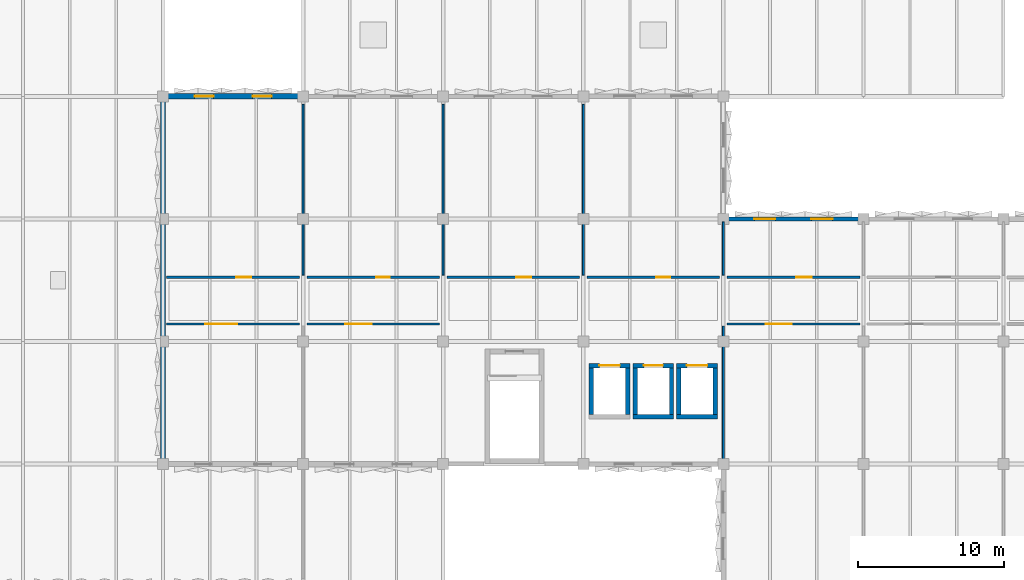
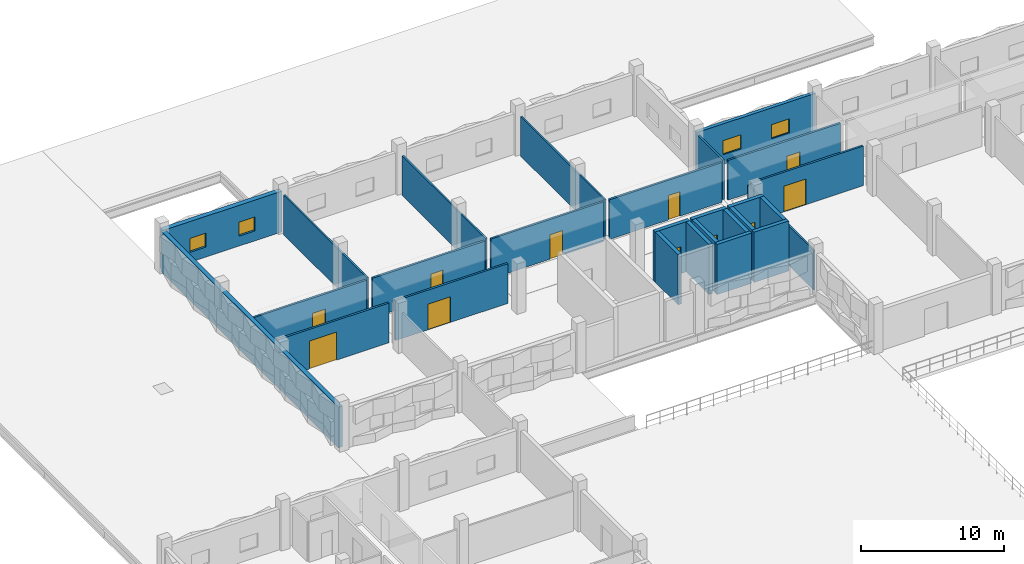
# One storey, part 57 of 86: 27 walls, 11 doors, 4 windows, 15 openings.
"""IFC4 building model written with IfcOpenShell, lengths in metres."""

from ifc_helpers import new_model, si_unit, direction, frame, frame_2d, origin, place, context, subcontext, project, spatial, rectangle, extrude, material, layer, layer_set, type_object, element, fill, save


model = new_model("IFC4")

# Units and contexts
model_context = context("Model", 3, precision=1e-05, world=origin(), true_north=direction((0.0, 1.0)))
body_context = subcontext(model_context, "Body", "Model", "MODEL_VIEW")
ifc_project = project(units=[si_unit("LENGTHUNIT", "METRE"), si_unit("AREAUNIT", "SQUARE_METRE"), si_unit("VOLUMEUNIT", "CUBIC_METRE"), si_unit("PLANEANGLEUNIT", "RADIAN"), si_unit("MASSUNIT", "GRAM", prefix="KILO")], contexts=[model_context])

# Site, building, storey
site_placement = place(None, origin())
site = spatial("IfcSite", under=ifc_project, at=site_placement, CompositionType="ELEMENT")
building_placement = place(site_placement, origin())
building = spatial("IfcBuilding", under=site, at=building_placement, Name="Oolite Switchyard Hospital", CompositionType="ELEMENT")
storey_placement = place(building_placement, frame((0.0, 0.0, 13.5)))
storey = spatial("IfcBuildingStorey", under=building, at=storey_placement, Name="L03", CompositionType="ELEMENT", Elevation=13.5)

# Wall, openings, windows
ifc_material_1 = material(Name="Precast oolitic limestone architectural concrete C40/50", Category="masonry")
ifc_layer_1 = layer(ifc_material_1, 0.280029296875)
ifc_layer_set_1 = layer_set([ifc_layer_1], Name="WAL-EXT-280")
wall_type_1 = type_object("IfcWallType", Name="WAL-EXT-280", PredefinedType="SOLIDWALL", material=ifc_layer_set_1)
wall_1_placement = place(storey_placement, frame((57.60009765625, 109.199951171875, 0.0), z_axis=(0.0, 0.0, 1.0), x_axis=(1.0, 0.0, 0.0)))
wall_1 = element("IfcWall", 1, at=wall_1_placement, inside=storey, type_object=wall_type_1, Name="L03 Exterior Spandrel Wall 201", PredefinedType="SOLIDWALL", context=body_context, shape_type="SweptSolid", body=[
    extrude(rectangle(XDim=9.599853515625, YDim=0.280029296875, at=frame_2d((4.7998046875, 0.0))), origin(), (0.0, 0.0, 1.0), 3.489990234375),
])
opening_1_placement = place(wall_1_placement, frame((2.118896484375, 0.0, 0.85009765625)))
opening_1 = element("IfcOpeningElement", 2, at=opening_1_placement, cuts=wall_1, Name="Opening WN-0103", PredefinedType="OPENING", context=body_context, shape_type="SweptSolid", body=[
    extrude(rectangle(XDim=1.449951171875, YDim=1.199951171875, at=frame_2d((0.72509765625, 0.60009765625))), frame((0.0, 0.14990234375, 0.0), z_axis=(0.0, -1.0, 0.0), x_axis=(1.0, 0.0, 0.0)), (0.0, 0.0, 1.0), 0.300048828125),
])
opening_2_placement = place(wall_1_placement, frame((6.031005859375, 0.0, 0.85009765625)))
opening_2 = element("IfcOpeningElement", 3, at=opening_2_placement, cuts=wall_1, Name="Opening WN-0104", PredefinedType="OPENING", context=body_context, shape_type="SweptSolid", body=[
    extrude(rectangle(XDim=1.449951171875, YDim=1.199951171875, at=frame_2d((0.72509765625, 0.60009765625))), frame((0.0, 0.14990234375, 0.0), z_axis=(0.0, -1.0, 0.0), x_axis=(1.0, 0.0, 0.0)), (0.0, 0.0, 1.0), 0.300048828125),
])
ifc_material_2 = material(Name="Thermally broken aluminum frame with laminated impact glazing", Category="aluminium")
window_type_1 = type_object("IfcWindowType", Name="WIN-IMP-145X120", PartitioningType="SINGLE_PANEL", PredefinedType="WINDOW", material=ifc_material_2)
window_1_placement = place(opening_1_placement, origin())
window_1 = element("IfcWindow", 4, at=window_1_placement, inside=storey, type_object=window_type_1, Name="L03 Hurricane Impact Window WN-0103", OverallHeight=1.199951171875, OverallWidth=1.449951171875, PartitioningType="SINGLE_PANEL", PredefinedType="WINDOW", context=body_context, shape_type="SweptSolid", body=[
    extrude(rectangle(XDim=1.449951171875, YDim=1.199951171875, at=frame_2d((0.72509765625, 0.60009765625))), frame((0.0, 0.030029296875, 0.0), z_axis=(0.0, -1.0, 0.0), x_axis=(1.0, 0.0, 0.0)), (0.0, 0.0, 1.0), 0.06005859375),
])
fill(opening_1, window_1)
window_2_placement = place(opening_2_placement, origin())
window_2 = element("IfcWindow", 5, at=window_2_placement, inside=storey, type_object=window_type_1, Name="L03 Hurricane Impact Window WN-0104", OverallHeight=1.199951171875, OverallWidth=1.449951171875, PartitioningType="SINGLE_PANEL", PredefinedType="WINDOW", context=body_context, shape_type="SweptSolid", body=[
    extrude(rectangle(XDim=1.449951171875, YDim=1.199951171875, at=frame_2d((0.72509765625, 0.60009765625))), frame((0.0, 0.030029296875, 0.0), z_axis=(0.0, -1.0, 0.0), x_axis=(1.0, 0.0, 0.0)), (0.0, 0.0, 1.0), 0.06005859375),
])
fill(opening_2, window_2)

# Wall
ifc_layer_2 = layer(ifc_material_1, 0.340087890625)
ifc_layer_set_2 = layer_set([ifc_layer_2], Name="WAL-EXT-340")
wall_type_2 = type_object("IfcWallType", Name="WAL-EXT-340", PredefinedType="SOLIDWALL", material=ifc_layer_set_2)
wall_2_placement = place(storey_placement, frame((19.199951171875, 92.56005859375, 0.0), z_axis=(0.0, 0.0, 1.0), x_axis=(0.0, 1.0, 0.0)))
element("IfcWall", 6, at=wall_2_placement, inside=storey, type_object=wall_type_2, Name="L03 Exterior Spandrel Wall 225", PredefinedType="SOLIDWALL", context=body_context, shape_type="SweptSolid", body=[
    extrude(rectangle(XDim=24.8798828125, YDim=0.340087890625, at=frame_2d((12.43994140625, 0.0))), origin(), (0.0, 0.0, 1.0), 3.489990234375),
])

# Wall, openings, windows
ifc_layer_3 = layer(ifc_material_1, 0.3798828125)
ifc_layer_set_3 = layer_set([ifc_layer_3], Name="WAL-EXT-380")
wall_type_3 = type_object("IfcWallType", Name="WAL-EXT-380", PredefinedType="SOLIDWALL", material=ifc_layer_set_3)
wall_3_placement = place(storey_placement, frame((19.199951171875, 117.60009765625, 0.0), z_axis=(0.0, 0.0, 1.0), x_axis=(1.0, 0.0, 0.0)))
wall_3 = element("IfcWall", 7, at=wall_3_placement, inside=storey, type_object=wall_type_3, Name="L03 Exterior Spandrel Wall 206", PredefinedType="SOLIDWALL", context=body_context, shape_type="SweptSolid", body=[
    extrude(rectangle(XDim=9.60009765625, YDim=0.3798828125, at=frame_2d((4.800048828125, 0.0))), origin(), (0.0, 0.0, 1.0), 3.489990234375),
])
opening_3_placement = place(wall_3_placement, frame((2.157958984375, 0.0, 0.85009765625)))
opening_3 = element("IfcOpeningElement", 8, at=opening_3_placement, cuts=wall_3, Name="Opening WN-0113", PredefinedType="OPENING", context=body_context, shape_type="SweptSolid", body=[
    extrude(rectangle(XDim=1.300048828125, YDim=1.199951171875, at=frame_2d((0.64990234375, 0.60009765625))), frame((0.0, 0.199951171875, 0.0), z_axis=(0.0, -1.0, 0.0), x_axis=(1.0, 0.0, 0.0)), (0.0, 0.0, 1.0), 0.39990234375),
])
opening_4_placement = place(wall_3_placement, frame((6.14208984375, 0.0, 0.85009765625)))
opening_4 = element("IfcOpeningElement", 9, at=opening_4_placement, cuts=wall_3, Name="Opening WN-0114", PredefinedType="OPENING", context=body_context, shape_type="SweptSolid", body=[
    extrude(rectangle(XDim=1.300048828125, YDim=1.199951171875, at=frame_2d((0.64990234375, 0.60009765625))), frame((0.0, 0.199951171875, 0.0), z_axis=(0.0, -1.0, 0.0), x_axis=(1.0, 0.0, 0.0)), (0.0, 0.0, 1.0), 0.39990234375),
])
window_type_2 = type_object("IfcWindowType", Name="WIN-IMP-130X120", PartitioningType="SINGLE_PANEL", PredefinedType="WINDOW", material=ifc_material_2)
window_3_placement = place(opening_3_placement, origin())
window_3 = element("IfcWindow", 10, at=window_3_placement, inside=storey, type_object=window_type_2, Name="L03 Hurricane Impact Window WN-0113", OverallHeight=1.199951171875, OverallWidth=1.300048828125, PartitioningType="SINGLE_PANEL", PredefinedType="WINDOW", context=body_context, shape_type="SweptSolid", body=[
    extrude(rectangle(XDim=1.300048828125, YDim=1.199951171875, at=frame_2d((0.64990234375, 0.60009765625))), frame((0.0, 0.030029296875, 0.0), z_axis=(0.0, -1.0, 0.0), x_axis=(1.0, 0.0, 0.0)), (0.0, 0.0, 1.0), 0.06005859375),
])
fill(opening_3, window_3)
window_4_placement = place(opening_4_placement, origin())
window_4 = element("IfcWindow", 11, at=window_4_placement, inside=storey, type_object=window_type_2, Name="L03 Hurricane Impact Window WN-0114", OverallHeight=1.199951171875, OverallWidth=1.300048828125, PartitioningType="SINGLE_PANEL", PredefinedType="WINDOW", context=body_context, shape_type="SweptSolid", body=[
    extrude(rectangle(XDim=1.300048828125, YDim=1.199951171875, at=frame_2d((0.64990234375, 0.60009765625))), frame((0.0, 0.030029296875, 0.0), z_axis=(0.0, -1.0, 0.0), x_axis=(1.0, 0.0, 0.0)), (0.0, 0.0, 1.0), 0.06005859375),
])
fill(opening_4, window_4)

# Walls
ifc_material_3 = material(Name="Moisture-resistant gypsum board on steel studs", Category="steel")
ifc_layer_4 = layer(ifc_material_3, 0.135009765625)
ifc_layer_set_4 = layer_set([ifc_layer_4], Name="WAL-PART-135")
wall_type_4 = type_object("IfcWallType", Name="WAL-PART-135", PredefinedType="PARTITIONING", material=ifc_layer_set_4)
for number, where, z_axis, x_axis, name in (
    (12, (28.800048828125, 105.35009765625, 0.0), (0.0, 0.0, 1.0), (0.0, 1.0, 0.0), "L03 Interior Partition 609"),
    (13, (38.39990234375, 105.35009765625, 0.0), (0.0, 0.0, 1.0), (0.0, 1.0, 0.0), "L03 Interior Partition 611"),
    (14, (48.0, 105.35009765625, 0.0), (0.0, 0.0, 1.0), (0.0, 1.0, 0.0), "L03 Interior Partition 613"),
):
    element("IfcWall", number, at=place(storey_placement, frame(where, z_axis=z_axis, x_axis=x_axis)), inside=storey, type_object=wall_type_4, Name=name, PredefinedType="PARTITIONING", context=body_context, shape_type="SweptSolid", body=[
        extrude(rectangle(XDim=11.699951171875, YDim=0.135009765625, at=frame_2d((5.85009765625, 0.0))), origin(), (0.0, 0.0, 1.0), 3.39990234375),
    ])
wall_4_placement = place(storey_placement, frame((57.60009765625, 92.60009765625, 0.0), z_axis=(0.0, 0.0, 1.0), x_axis=(0.0, 1.0, 0.0)))
element("IfcWall", 15, at=wall_4_placement, inside=storey, type_object=wall_type_4, Name="L03 Interior Partition 615", PredefinedType="PARTITIONING", context=body_context, shape_type="SweptSolid", body=[
    extrude(rectangle(XDim=9.25, YDim=0.135009765625, at=frame_2d((4.625, 0.0))), origin(), (0.0, 0.0, 1.0), 3.39990234375),
])
wall_5_placement = place(storey_placement, frame((57.60009765625, 105.35009765625, 0.0), z_axis=(0.0, 0.0, 1.0), x_axis=(0.0, 1.0, 0.0)))
element("IfcWall", 16, at=wall_5_placement, inside=storey, type_object=wall_type_4, Name="L03 Interior Partition 617", PredefinedType="PARTITIONING", context=body_context, shape_type="SweptSolid", body=[
    extrude(rectangle(XDim=3.64990234375, YDim=0.135009765625, at=frame_2d((1.824951171875, 0.0))), origin(), (0.0, 0.0, 1.0), 3.39990234375),
])

# Wall, opening, door
ifc_layer_5 = layer(ifc_material_3, 0.1650390625)
ifc_layer_set_5 = layer_set([ifc_layer_5], Name="WAL-PART-165")
wall_type_5 = type_object("IfcWallType", Name="WAL-PART-165", PredefinedType="PARTITIONING", material=ifc_layer_set_5)
wall_6_placement = place(storey_placement, frame((19.449951171875, 102.0, 0.0), z_axis=(0.0, 0.0, 1.0), x_axis=(1.0, 0.0, 0.0)))
wall_6 = element("IfcWall", 17, at=wall_6_placement, inside=storey, type_object=wall_type_5, Name="L03 Interior Partition 604", PredefinedType="PARTITIONING", context=body_context, shape_type="SweptSolid", body=[
    extrude(rectangle(XDim=9.10009765625, YDim=0.1650390625, at=frame_2d((4.550048828125, 0.0))), origin(), (0.0, 0.0, 1.0), 3.39990234375),
])
opening_5_placement = place(wall_6_placement, frame((2.64990234375, 0.0, 0.0)))
opening_5 = element("IfcOpeningElement", 18, at=opening_5_placement, cuts=wall_6, Name="Opening D-0339", PredefinedType="OPENING", context=body_context, shape_type="SweptSolid", body=[
    extrude(rectangle(XDim=2.199951171875, YDim=2.39990234375, at=frame_2d((1.10009765625, 1.199951171875))), frame((0.0, 0.092529296875, 0.0), z_axis=(0.0, -1.0, 0.0), x_axis=(1.0, 0.0, 0.0)), (0.0, 0.0, 1.0), 0.18505859375),
])
ifc_material_4 = material(Name="Hollow metal fire-rated steel door assembly", Category="steel")
door_type_1 = type_object("IfcDoorType", Name="DR-PLNT-220X240", OperationType="NOTDEFINED", PredefinedType="DOOR", material=ifc_material_4)
door_1_placement = place(opening_5_placement, origin())
door_1 = element("IfcDoor", 19, at=door_1_placement, inside=storey, type_object=door_type_1, Name="L03 Interior Door D-0339", OperationType="DOUBLE_DOOR_SINGLE_SWING", OverallHeight=2.39990234375, OverallWidth=2.199951171875, PredefinedType="DOOR", context=body_context, shape_type="SweptSolid", body=[
    extrude(rectangle(XDim=2.199951171875, YDim=2.39990234375, at=frame_2d((1.10009765625, 1.199951171875))), frame((0.0, 0.02490234375, 0.0), z_axis=(0.0, -1.0, 0.0), x_axis=(1.0, 0.0, 0.0)), (0.0, 0.0, 1.0), 0.050048828125),
])
fill(opening_5, door_1)

wall_7_placement = place(storey_placement, frame((19.449951171875, 105.199951171875, 0.0), z_axis=(0.0, 0.0, 1.0), x_axis=(1.0, 0.0, 0.0)))
wall_7 = element("IfcWall", 20, at=wall_7_placement, inside=storey, type_object=wall_type_5, Name="L03 Interior Partition 605", PredefinedType="PARTITIONING", context=body_context, shape_type="SweptSolid", body=[
    extrude(rectangle(XDim=9.10009765625, YDim=0.1650390625, at=frame_2d((4.550048828125, 0.0))), origin(), (0.0, 0.0, 1.0), 3.39990234375),
])
opening_6_placement = place(wall_7_placement, frame((4.75, 0.0, 0.0)))
opening_6 = element("IfcOpeningElement", 21, at=opening_6_placement, cuts=wall_7, Name="Opening D-0340", PredefinedType="OPENING", context=body_context, shape_type="SweptSolid", body=[
    extrude(rectangle(XDim=1.050048828125, YDim=2.10009765625, at=frame_2d((0.52490234375, 1.050048828125))), frame((0.0, 0.092529296875, 0.0), z_axis=(0.0, -1.0, 0.0), x_axis=(1.0, 0.0, 0.0)), (0.0, 0.0, 1.0), 0.18505859375),
])
ifc_material_5 = material(Name="Solid-core antimicrobial hardwood leaf in steel frame", Category="steel")
door_type_2 = type_object("IfcDoorType", Name="DR-EXAM-105X210", OperationType="NOTDEFINED", PredefinedType="DOOR", material=ifc_material_5)
door_2_placement = place(opening_6_placement, origin())
door_2 = element("IfcDoor", 22, at=door_2_placement, inside=storey, type_object=door_type_2, Name="L03 Interior Door D-0340", OperationType="SINGLE_SWING_RIGHT", OverallHeight=2.10009765625, OverallWidth=1.050048828125, PredefinedType="DOOR", context=body_context, shape_type="SweptSolid", body=[
    extrude(rectangle(XDim=1.050048828125, YDim=2.10009765625, at=frame_2d((0.52490234375, 1.050048828125))), frame((0.0, 0.02490234375, 0.0), z_axis=(0.0, -1.0, 0.0), x_axis=(1.0, 0.0, 0.0)), (0.0, 0.0, 1.0), 0.050048828125),
])
fill(opening_6, door_2)

wall_8_placement = place(storey_placement, frame((29.050048828125, 102.0, 0.0), z_axis=(0.0, 0.0, 1.0), x_axis=(1.0, 0.0, 0.0)))
wall_8 = element("IfcWall", 23, at=wall_8_placement, inside=storey, type_object=wall_type_5, Name="L03 Interior Partition 606", PredefinedType="PARTITIONING", context=body_context, shape_type="SweptSolid", body=[
    extrude(rectangle(XDim=9.099853515625, YDim=0.1650390625, at=frame_2d((4.5498046875, 0.0))), origin(), (0.0, 0.0, 1.0), 3.39990234375),
])
opening_7_placement = place(wall_8_placement, frame((2.64990234375, 0.0, 0.0)))
opening_7 = element("IfcOpeningElement", 24, at=opening_7_placement, cuts=wall_8, Name="Opening D-0341", PredefinedType="OPENING", context=body_context, shape_type="SweptSolid", body=[
    extrude(rectangle(XDim=1.800048828125, YDim=2.199951171875, at=frame_2d((0.89990234375, 1.10009765625))), frame((0.0, 0.092529296875, 0.0), z_axis=(0.0, -1.0, 0.0), x_axis=(1.0, 0.0, 0.0)), (0.0, 0.0, 1.0), 0.18505859375),
])
door_type_3 = type_object("IfcDoorType", Name="DR-DBL-180X220", OperationType="NOTDEFINED", PredefinedType="DOOR", material=ifc_material_4)
door_3_placement = place(opening_7_placement, origin())
door_3 = element("IfcDoor", 25, at=door_3_placement, inside=storey, type_object=door_type_3, Name="L03 Interior Door D-0341", OperationType="DOUBLE_DOOR_SINGLE_SWING", OverallHeight=2.199951171875, OverallWidth=1.800048828125, PredefinedType="DOOR", context=body_context, shape_type="SweptSolid", body=[
    extrude(rectangle(XDim=1.800048828125, YDim=2.199951171875, at=frame_2d((0.89990234375, 1.10009765625))), frame((0.0, 0.02490234375, 0.0), z_axis=(0.0, -1.0, 0.0), x_axis=(1.0, 0.0, 0.0)), (0.0, 0.0, 1.0), 0.050048828125),
])
fill(opening_7, door_3)

wall_9_placement = place(storey_placement, frame((29.050048828125, 105.199951171875, 0.0), z_axis=(0.0, 0.0, 1.0), x_axis=(1.0, 0.0, 0.0)))
wall_9 = element("IfcWall", 26, at=wall_9_placement, inside=storey, type_object=wall_type_5, Name="L03 Interior Partition 608", PredefinedType="PARTITIONING", context=body_context, shape_type="SweptSolid", body=[
    extrude(rectangle(XDim=9.099853515625, YDim=0.1650390625, at=frame_2d((4.5498046875, 0.0))), origin(), (0.0, 0.0, 1.0), 3.39990234375),
])
opening_8_placement = place(wall_9_placement, frame((4.75, 0.0, 0.0)))
opening_8 = element("IfcOpeningElement", 27, at=opening_8_placement, cuts=wall_9, Name="Opening D-0342", PredefinedType="OPENING", context=body_context, shape_type="SweptSolid", body=[
    extrude(rectangle(XDim=0.949951171875, YDim=2.10009765625, at=frame_2d((0.47509765625, 1.050048828125))), frame((0.0, 0.092529296875, 0.0), z_axis=(0.0, -1.0, 0.0), x_axis=(1.0, 0.0, 0.0)), (0.0, 0.0, 1.0), 0.18505859375),
])
door_type_4 = type_object("IfcDoorType", Name="DR-BATH-095X210", OperationType="NOTDEFINED", PredefinedType="DOOR", material=ifc_material_5)
door_4_placement = place(opening_8_placement, origin())
door_4 = element("IfcDoor", 28, at=door_4_placement, inside=storey, type_object=door_type_4, Name="L03 Interior Door D-0342", OperationType="SINGLE_SWING_LEFT", OverallHeight=2.10009765625, OverallWidth=0.949951171875, PredefinedType="DOOR", context=body_context, shape_type="SweptSolid", body=[
    extrude(rectangle(XDim=0.949951171875, YDim=2.10009765625, at=frame_2d((0.47509765625, 1.050048828125))), frame((0.0, 0.02490234375, 0.0), z_axis=(0.0, -1.0, 0.0), x_axis=(1.0, 0.0, 0.0)), (0.0, 0.0, 1.0), 0.050048828125),
])
fill(opening_8, door_4)

wall_10_placement = place(storey_placement, frame((38.64990234375, 105.199951171875, 0.0), z_axis=(0.0, 0.0, 1.0), x_axis=(1.0, 0.0, 0.0)))
wall_10 = element("IfcWall", 29, at=wall_10_placement, inside=storey, type_object=wall_type_5, Name="L03 Interior Partition 610", PredefinedType="PARTITIONING", context=body_context, shape_type="SweptSolid", body=[
    extrude(rectangle(XDim=9.10009765625, YDim=0.1650390625, at=frame_2d((4.550048828125, 0.0))), origin(), (0.0, 0.0, 1.0), 3.39990234375),
])
opening_9_placement = place(wall_10_placement, frame((4.75, 0.0, 0.0)))
opening_9 = element("IfcOpeningElement", 30, at=opening_9_placement, cuts=wall_10, Name="Opening D-0343", PredefinedType="OPENING", context=body_context, shape_type="SweptSolid", body=[
    extrude(rectangle(XDim=1.050048828125, YDim=2.10009765625, at=frame_2d((0.52490234375, 1.050048828125))), frame((0.0, 0.092529296875, 0.0), z_axis=(0.0, -1.0, 0.0), x_axis=(1.0, 0.0, 0.0)), (0.0, 0.0, 1.0), 0.18505859375),
])
door_5_placement = place(opening_9_placement, origin())
door_5 = element("IfcDoor", 31, at=door_5_placement, inside=storey, type_object=door_type_2, Name="L03 Interior Door D-0343", OperationType="SINGLE_SWING_RIGHT", OverallHeight=2.10009765625, OverallWidth=1.050048828125, PredefinedType="DOOR", context=body_context, shape_type="SweptSolid", body=[
    extrude(rectangle(XDim=1.050048828125, YDim=2.10009765625, at=frame_2d((0.52490234375, 1.050048828125))), frame((0.0, 0.02490234375, 0.0), z_axis=(0.0, -1.0, 0.0), x_axis=(1.0, 0.0, 0.0)), (0.0, 0.0, 1.0), 0.050048828125),
])
fill(opening_9, door_5)

wall_11_placement = place(storey_placement, frame((48.25, 105.199951171875, 0.0), z_axis=(0.0, 0.0, 1.0), x_axis=(1.0, 0.0, 0.0)))
wall_11 = element("IfcWall", 32, at=wall_11_placement, inside=storey, type_object=wall_type_5, Name="L03 Interior Partition 612", PredefinedType="PARTITIONING", context=body_context, shape_type="SweptSolid", body=[
    extrude(rectangle(XDim=9.10009765625, YDim=0.1650390625, at=frame_2d((4.550048828125, 0.0))), origin(), (0.0, 0.0, 1.0), 3.39990234375),
])
opening_10_placement = place(wall_11_placement, frame((4.75, 0.0, 0.0)))
opening_10 = element("IfcOpeningElement", 33, at=opening_10_placement, cuts=wall_11, Name="Opening D-0344", PredefinedType="OPENING", context=body_context, shape_type="SweptSolid", body=[
    extrude(rectangle(XDim=0.949951171875, YDim=2.10009765625, at=frame_2d((0.47509765625, 1.050048828125))), frame((0.0, 0.092529296875, 0.0), z_axis=(0.0, -1.0, 0.0), x_axis=(1.0, 0.0, 0.0)), (0.0, 0.0, 1.0), 0.18505859375),
])
door_6_placement = place(opening_10_placement, origin())
door_6 = element("IfcDoor", 34, at=door_6_placement, inside=storey, type_object=door_type_4, Name="L03 Interior Door D-0344", OperationType="SINGLE_SWING_LEFT", OverallHeight=2.10009765625, OverallWidth=0.949951171875, PredefinedType="DOOR", context=body_context, shape_type="SweptSolid", body=[
    extrude(rectangle(XDim=0.949951171875, YDim=2.10009765625, at=frame_2d((0.47509765625, 1.050048828125))), frame((0.0, 0.02490234375, 0.0), z_axis=(0.0, -1.0, 0.0), x_axis=(1.0, 0.0, 0.0)), (0.0, 0.0, 1.0), 0.050048828125),
])
fill(opening_10, door_6)

wall_12_placement = place(storey_placement, frame((57.85009765625, 102.0, 0.0), z_axis=(0.0, 0.0, 1.0), x_axis=(1.0, 0.0, 0.0)))
wall_12 = element("IfcWall", 35, at=wall_12_placement, inside=storey, type_object=wall_type_5, Name="L03 Interior Partition 614", PredefinedType="PARTITIONING", context=body_context, shape_type="SweptSolid", body=[
    extrude(rectangle(XDim=9.099853515625, YDim=0.1650390625, at=frame_2d((4.5498046875, 0.0))), origin(), (0.0, 0.0, 1.0), 3.39990234375),
])
opening_11_placement = place(wall_12_placement, frame((2.64990234375, 0.0, 0.0)))
opening_11 = element("IfcOpeningElement", 36, at=opening_11_placement, cuts=wall_12, Name="Opening D-0345", PredefinedType="OPENING", context=body_context, shape_type="SweptSolid", body=[
    extrude(rectangle(XDim=1.800048828125, YDim=2.199951171875, at=frame_2d((0.89990234375, 1.10009765625))), frame((0.0, 0.092529296875, 0.0), z_axis=(0.0, -1.0, 0.0), x_axis=(1.0, 0.0, 0.0)), (0.0, 0.0, 1.0), 0.18505859375),
])
door_7_placement = place(opening_11_placement, origin())
door_7 = element("IfcDoor", 37, at=door_7_placement, inside=storey, type_object=door_type_3, Name="L03 Interior Door D-0345", OperationType="DOUBLE_DOOR_SINGLE_SWING", OverallHeight=2.199951171875, OverallWidth=1.800048828125, PredefinedType="DOOR", context=body_context, shape_type="SweptSolid", body=[
    extrude(rectangle(XDim=1.800048828125, YDim=2.199951171875, at=frame_2d((0.89990234375, 1.10009765625))), frame((0.0, 0.02490234375, 0.0), z_axis=(0.0, -1.0, 0.0), x_axis=(1.0, 0.0, 0.0)), (0.0, 0.0, 1.0), 0.050048828125),
])
fill(opening_11, door_7)

wall_13_placement = place(storey_placement, frame((57.85009765625, 105.199951171875, 0.0), z_axis=(0.0, 0.0, 1.0), x_axis=(1.0, 0.0, 0.0)))
wall_13 = element("IfcWall", 38, at=wall_13_placement, inside=storey, type_object=wall_type_5, Name="L03 Interior Partition 616", PredefinedType="PARTITIONING", context=body_context, shape_type="SweptSolid", body=[
    extrude(rectangle(XDim=9.099853515625, YDim=0.1650390625, at=frame_2d((4.5498046875, 0.0))), origin(), (0.0, 0.0, 1.0), 3.39990234375),
])
opening_12_placement = place(wall_13_placement, frame((4.75, 0.0, 0.0)))
opening_12 = element("IfcOpeningElement", 39, at=opening_12_placement, cuts=wall_13, Name="Opening D-0346", PredefinedType="OPENING", context=body_context, shape_type="SweptSolid", body=[
    extrude(rectangle(XDim=1.050048828125, YDim=2.10009765625, at=frame_2d((0.52490234375, 1.050048828125))), frame((0.0, 0.092529296875, 0.0), z_axis=(0.0, -1.0, 0.0), x_axis=(1.0, 0.0, 0.0)), (0.0, 0.0, 1.0), 0.18505859375),
])
door_8_placement = place(opening_12_placement, origin())
door_8 = element("IfcDoor", 40, at=door_8_placement, inside=storey, type_object=door_type_2, Name="L03 Interior Door D-0346", OperationType="SINGLE_SWING_RIGHT", OverallHeight=2.10009765625, OverallWidth=1.050048828125, PredefinedType="DOOR", context=body_context, shape_type="SweptSolid", body=[
    extrude(rectangle(XDim=1.050048828125, YDim=2.10009765625, at=frame_2d((0.52490234375, 1.050048828125))), frame((0.0, 0.02490234375, 0.0), z_axis=(0.0, -1.0, 0.0), x_axis=(1.0, 0.0, 0.0)), (0.0, 0.0, 1.0), 0.050048828125),
])
fill(opening_12, door_8)

# Wall
ifc_material_6 = material(Name="Concrete C50/60", Category="concrete")
ifc_layer_6 = layer(ifc_material_6, 0.300048828125)
ifc_layer_set_6 = layer_set([ifc_layer_6], Name="WAL-SHR-300")
wall_type_6 = type_object("IfcWallType", Name="WAL-SHR-300", PredefinedType="SHEAR", material=ifc_layer_set_6)
wall_14_placement = place(storey_placement, frame((51.050048828125, 95.800048828125, 0.0), z_axis=(0.0, 0.0, 1.0), x_axis=(0.0, 1.0, 0.0)))
element("IfcWall", 41, at=wall_14_placement, inside=storey, type_object=wall_type_6, Name="L03 Lift Shaft Shear Wall EL-08", PredefinedType="SHEAR", context=body_context, shape_type="SweptSolid", body=[
    extrude(rectangle(XDim=3.199951171875, YDim=0.300048828125, at=frame_2d((1.60009765625, 0.0))), origin(), (0.0, 0.0, 1.0), 4.300048828125),
])

# Wall, opening, door
wall_15_placement = place(storey_placement, frame((51.199951171875, 99.14990234375, 0.0), z_axis=(0.0, 0.0, 1.0), x_axis=(-1.0, 0.0, 0.0)))
wall_15 = element("IfcWall", 42, at=wall_15_placement, inside=storey, type_object=wall_type_6, Name="L03 Lift Shaft Shear Wall EL-08", PredefinedType="SHEAR", context=body_context, shape_type="SweptSolid", body=[
    extrude(rectangle(XDim=2.800048828125, YDim=0.300048828125, at=frame_2d((1.39990234375, 0.0))), origin(), (0.0, 0.0, 1.0), 4.300048828125),
])
opening_13_placement = place(wall_15_placement, frame((0.699951171875, 0.0, 0.0)))
opening_13 = element("IfcOpeningElement", 43, at=opening_13_placement, cuts=wall_15, Name="Opening LD-059", PredefinedType="OPENING", context=body_context, shape_type="SweptSolid", body=[
    extrude(rectangle(XDim=1.39990234375, YDim=2.300048828125, at=frame_2d((0.699951171875, 1.14990234375))), frame((0.0, 0.16015625, 0.0), z_axis=(0.0, -1.0, 0.0), x_axis=(1.0, 0.0, 0.0)), (0.0, 0.0, 1.0), 0.320068359375),
])
ifc_material_7 = material(Name="Brushed stainless steel fire-rated sliding landing door", Category="steel")
door_type_5 = type_object("IfcDoorType", Name="DR-LD-140X230", OperationType="NOTDEFINED", PredefinedType="DOOR", material=ifc_material_7)
door_9_placement = place(opening_13_placement, origin())
door_9 = element("IfcDoor", 44, at=door_9_placement, inside=storey, type_object=door_type_5, Name="L03 EL-08 Lift Landing Door LD-059", OperationType="SLIDING_TO_LEFT", OverallHeight=2.300048828125, OverallWidth=1.39990234375, PredefinedType="DOOR", context=body_context, shape_type="SweptSolid", body=[
    extrude(rectangle(XDim=1.39990234375, YDim=2.300048828125, at=frame_2d((0.699951171875, 1.14990234375))), frame((0.0, 0.02490234375, 0.0), z_axis=(0.0, -1.0, 0.0), x_axis=(1.0, 0.0, 0.0)), (0.0, 0.0, 1.0), 0.050048828125),
])
fill(opening_13, door_9)

# Walls
wall_16_placement = place(storey_placement, frame((48.550048828125, 99.0, 0.0), z_axis=(0.0, 0.0, 1.0), x_axis=(0.0, -1.0, 0.0)))
element("IfcWall", 45, at=wall_16_placement, inside=storey, type_object=wall_type_6, Name="L03 Lift Shaft Shear Wall EL-08", PredefinedType="SHEAR", context=body_context, shape_type="SweptSolid", body=[
    extrude(rectangle(XDim=3.199951171875, YDim=0.300048828125, at=frame_2d((1.60009765625, 0.0))), origin(), (0.0, 0.0, 1.0), 4.300048828125),
])
wall_17_placement = place(storey_placement, frame((51.39990234375, 95.64990234375, 0.0), z_axis=(0.0, 0.0, 1.0), x_axis=(1.0, 0.0, 0.0)))
element("IfcWall", 46, at=wall_17_placement, inside=storey, type_object=wall_type_6, Name="L03 Lift Shaft Shear Wall EL-09", PredefinedType="SHEAR", context=body_context, shape_type="SweptSolid", body=[
    extrude(rectangle(XDim=2.800048828125, YDim=0.300048828125, at=frame_2d((1.39990234375, 0.0))), origin(), (0.0, 0.0, 1.0), 4.300048828125),
])
wall_18_placement = place(storey_placement, frame((54.050048828125, 95.800048828125, 0.0), z_axis=(0.0, 0.0, 1.0), x_axis=(0.0, 1.0, 0.0)))
element("IfcWall", 47, at=wall_18_placement, inside=storey, type_object=wall_type_6, Name="L03 Lift Shaft Shear Wall EL-09", PredefinedType="SHEAR", context=body_context, shape_type="SweptSolid", body=[
    extrude(rectangle(XDim=3.199951171875, YDim=0.300048828125, at=frame_2d((1.60009765625, 0.0))), origin(), (0.0, 0.0, 1.0), 4.300048828125),
])

# Wall, opening, door
wall_19_placement = place(storey_placement, frame((54.199951171875, 99.14990234375, 0.0), z_axis=(0.0, 0.0, 1.0), x_axis=(-1.0, 0.0, 0.0)))
wall_19 = element("IfcWall", 48, at=wall_19_placement, inside=storey, type_object=wall_type_6, Name="L03 Lift Shaft Shear Wall EL-09", PredefinedType="SHEAR", context=body_context, shape_type="SweptSolid", body=[
    extrude(rectangle(XDim=2.800048828125, YDim=0.300048828125, at=frame_2d((1.39990234375, 0.0))), origin(), (0.0, 0.0, 1.0), 4.300048828125),
])
opening_14_placement = place(wall_19_placement, frame((0.75, 0.0, 0.0)))
opening_14 = element("IfcOpeningElement", 49, at=opening_14_placement, cuts=wall_19, Name="Opening LD-063", PredefinedType="OPENING", context=body_context, shape_type="SweptSolid", body=[
    extrude(rectangle(XDim=1.300048828125, YDim=2.300048828125, at=frame_2d((0.64990234375, 1.14990234375))), frame((0.0, 0.16015625, 0.0), z_axis=(0.0, -1.0, 0.0), x_axis=(1.0, 0.0, 0.0)), (0.0, 0.0, 1.0), 0.320068359375),
])
door_type_6 = type_object("IfcDoorType", Name="DR-LD-130X230", OperationType="NOTDEFINED", PredefinedType="DOOR", material=ifc_material_7)
door_10_placement = place(opening_14_placement, origin())
door_10 = element("IfcDoor", 50, at=door_10_placement, inside=storey, type_object=door_type_6, Name="L03 EL-09 Lift Landing Door LD-063", OperationType="SLIDING_TO_LEFT", OverallHeight=2.300048828125, OverallWidth=1.300048828125, PredefinedType="DOOR", context=body_context, shape_type="SweptSolid", body=[
    extrude(rectangle(XDim=1.300048828125, YDim=2.300048828125, at=frame_2d((0.64990234375, 1.14990234375))), frame((0.0, 0.02490234375, 0.0), z_axis=(0.0, -1.0, 0.0), x_axis=(1.0, 0.0, 0.0)), (0.0, 0.0, 1.0), 0.050048828125),
])
fill(opening_14, door_10)

# Walls
wall_20_placement = place(storey_placement, frame((51.550048828125, 99.0, 0.0), z_axis=(0.0, 0.0, 1.0), x_axis=(0.0, -1.0, 0.0)))
element("IfcWall", 51, at=wall_20_placement, inside=storey, type_object=wall_type_6, Name="L03 Lift Shaft Shear Wall EL-09", PredefinedType="SHEAR", context=body_context, shape_type="SweptSolid", body=[
    extrude(rectangle(XDim=3.199951171875, YDim=0.300048828125, at=frame_2d((1.60009765625, 0.0))), origin(), (0.0, 0.0, 1.0), 4.300048828125),
])
wall_21_placement = place(storey_placement, frame((54.39990234375, 95.64990234375, 0.0), z_axis=(0.0, 0.0, 1.0), x_axis=(1.0, 0.0, 0.0)))
element("IfcWall", 52, at=wall_21_placement, inside=storey, type_object=wall_type_6, Name="L03 Lift Shaft Shear Wall EL-10", PredefinedType="SHEAR", context=body_context, shape_type="SweptSolid", body=[
    extrude(rectangle(XDim=2.800048828125, YDim=0.300048828125, at=frame_2d((1.39990234375, 0.0))), origin(), (0.0, 0.0, 1.0), 4.300048828125),
])
wall_22_placement = place(storey_placement, frame((57.050048828125, 95.800048828125, 0.0), z_axis=(0.0, 0.0, 1.0), x_axis=(0.0, 1.0, 0.0)))
element("IfcWall", 53, at=wall_22_placement, inside=storey, type_object=wall_type_6, Name="L03 Lift Shaft Shear Wall EL-10", PredefinedType="SHEAR", context=body_context, shape_type="SweptSolid", body=[
    extrude(rectangle(XDim=3.199951171875, YDim=0.300048828125, at=frame_2d((1.60009765625, 0.0))), origin(), (0.0, 0.0, 1.0), 4.300048828125),
])

# Wall, opening, door
wall_23_placement = place(storey_placement, frame((57.199951171875, 99.14990234375, 0.0), z_axis=(0.0, 0.0, 1.0), x_axis=(-1.0, 0.0, 0.0)))
wall_23 = element("IfcWall", 54, at=wall_23_placement, inside=storey, type_object=wall_type_6, Name="L03 Lift Shaft Shear Wall EL-10", PredefinedType="SHEAR", context=body_context, shape_type="SweptSolid", body=[
    extrude(rectangle(XDim=2.800048828125, YDim=0.300048828125, at=frame_2d((1.39990234375, 0.0))), origin(), (0.0, 0.0, 1.0), 4.300048828125),
])
opening_15_placement = place(wall_23_placement, frame((0.699951171875, 0.0, 0.0)))
opening_15 = element("IfcOpeningElement", 55, at=opening_15_placement, cuts=wall_23, Name="Opening LD-067", PredefinedType="OPENING", context=body_context, shape_type="SweptSolid", body=[
    extrude(rectangle(XDim=1.39990234375, YDim=2.300048828125, at=frame_2d((0.699951171875, 1.14990234375))), frame((0.0, 0.16015625, 0.0), z_axis=(0.0, -1.0, 0.0), x_axis=(1.0, 0.0, 0.0)), (0.0, 0.0, 1.0), 0.320068359375),
])
door_11_placement = place(opening_15_placement, origin())
door_11 = element("IfcDoor", 56, at=door_11_placement, inside=storey, type_object=door_type_5, Name="L03 EL-10 Lift Landing Door LD-067", OperationType="SLIDING_TO_LEFT", OverallHeight=2.300048828125, OverallWidth=1.39990234375, PredefinedType="DOOR", context=body_context, shape_type="SweptSolid", body=[
    extrude(rectangle(XDim=1.39990234375, YDim=2.300048828125, at=frame_2d((0.699951171875, 1.14990234375))), frame((0.0, 0.02490234375, 0.0), z_axis=(0.0, -1.0, 0.0), x_axis=(1.0, 0.0, 0.0)), (0.0, 0.0, 1.0), 0.050048828125),
])
fill(opening_15, door_11)

# Wall
wall_24_placement = place(storey_placement, frame((54.550048828125, 99.0, 0.0), z_axis=(0.0, 0.0, 1.0), x_axis=(0.0, -1.0, 0.0)))
element("IfcWall", 57, at=wall_24_placement, inside=storey, type_object=wall_type_6, Name="L03 Lift Shaft Shear Wall EL-10", PredefinedType="SHEAR", context=body_context, shape_type="SweptSolid", body=[
    extrude(rectangle(XDim=3.199951171875, YDim=0.300048828125, at=frame_2d((1.60009765625, 0.0))), origin(), (0.0, 0.0, 1.0), 4.300048828125),
])

save(model, "model.ifc")
